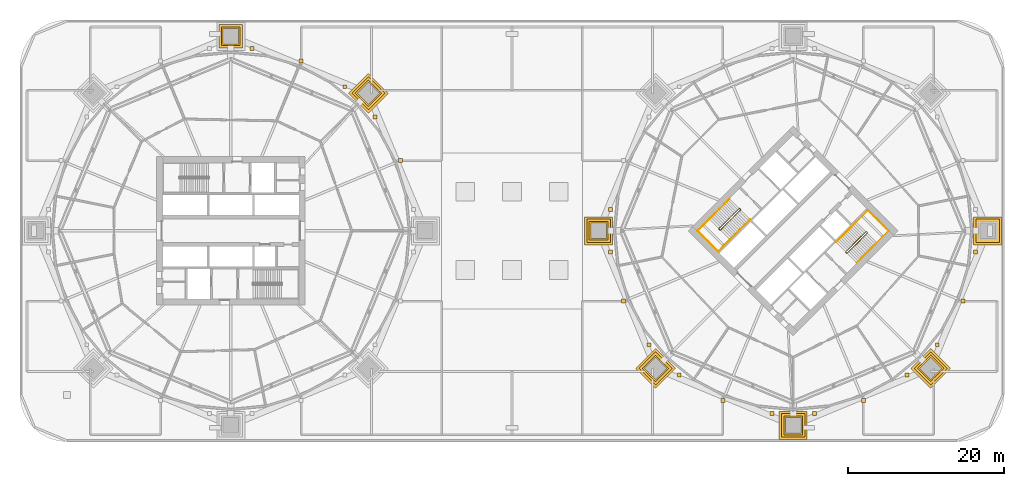
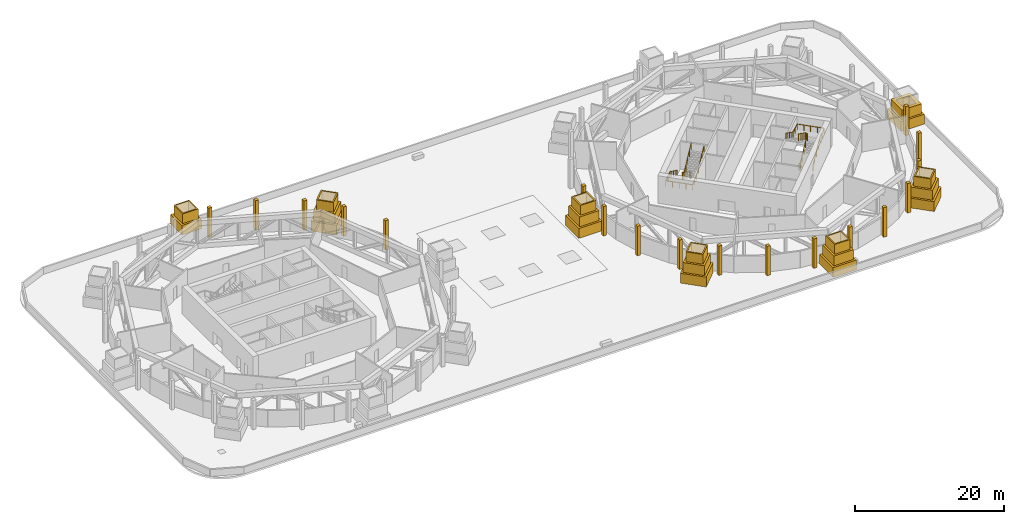
# One storey, part 19 of 21: 37 coverings, 4 railings.
"""IFC4 building model written with IfcOpenShell, lengths in metres."""

from ifc_helpers import new_model, si_unit, direction, frame, origin, origin_2d, place, context, subcontext, project, spatial, polyline, rectangle, circle, outline, extrude, material, layer, layer_set, material_profile, profile_set, type_object, element, save


model = new_model("IFC4")

# Units and contexts
model_context = context("Model", 3, precision=1e-05, world=origin(), true_north=direction((0.0, 1.0)))
body_context = subcontext(model_context, "Body", "Model", "MODEL_VIEW")
ifc_project = project(units=[si_unit("LENGTHUNIT", "METRE"), si_unit("AREAUNIT", "SQUARE_METRE"), si_unit("VOLUMEUNIT", "CUBIC_METRE"), si_unit("PLANEANGLEUNIT", "RADIAN"), si_unit("MASSUNIT", "GRAM", prefix="KILO")], contexts=[model_context])

# Site, building, storey
site_placement = place(None, origin())
site = spatial("IfcSite", under=ifc_project, at=site_placement, CompositionType="ELEMENT")
building_placement = place(site_placement, origin())
building = spatial("IfcBuilding", under=site, at=building_placement, Name="Ogive Gate Towers", CompositionType="ELEMENT")
storey_placement = place(building_placement, frame((0.0, 0.0, 27.60009765625)))
storey = spatial("IfcBuildingStorey", under=building, at=storey_placement, Name="L05", CompositionType="ELEMENT", Elevation=27.60009765625)

# Coverings
ifc_material_1 = material(Name="Cast stone", Category="masonry")
ifc_layer_1 = layer(ifc_material_1, 0.199951171875)
ifc_layer_set_1 = layer_set([ifc_layer_1], Name="Plinth casing 2400")
covering_type_1 = type_object("IfcCoveringType", Name="Plinth casing 2400", PredefinedType="CLADDING", material=ifc_layer_set_1)
covering_1_placement = place(storey_placement, frame((0.0, 0.0, 3.199951171875)))
element("IfcCovering", 1, at=covering_1_placement, inside=storey, type_object=covering_type_1, Name="Pier plinth casing", PredefinedType="CLADDING", context=body_context, shape_type="SweptSolid", body=[
    extrude(outline(polyline([(-18.385986328125, 15.9169921875), (-16.68896484375, 17.614013671875), (-18.385986328125, 19.31103515625), (-20.0830078125, 17.614013671875), (-18.385986328125, 15.9169921875)]), holes=[polyline([(-18.385986328125, 16.19970703125), (-19.80029296875, 17.614013671875), (-18.385986328125, 19.0283203125), (-16.9716796875, 17.614013671875), (-18.385986328125, 16.19970703125)])]), origin(), (0.0, 0.0, 1.0), 1.599853515625),
])
covering_2_placement = place(storey_placement, frame((0.0, 0.0, 3.199951171875)))
element("IfcCovering", 2, at=covering_2_placement, inside=storey, type_object=covering_type_1, Name="Pier plinth casing", PredefinedType="CLADDING", context=body_context, shape_type="SweptSolid", body=[
    extrude(outline(polyline([(-34.800048828125, 23.7099609375), (-34.800048828125, 26.110107421875), (-37.199951171875, 26.110107421875), (-37.199951171875, 23.7099609375), (-34.800048828125, 23.7099609375)]), holes=[polyline([(-35.0, 23.909912109375), (-37.0, 23.909912109375), (-37.0, 25.909912109375), (-35.0, 25.909912109375), (-35.0, 23.909912109375)])]), origin(), (0.0, 0.0, 1.0), 1.599853515625),
])
covering_3_placement = place(storey_placement, frame((0.0, 0.0, 3.199951171875)))
element("IfcCovering", 3, at=covering_3_placement, inside=storey, type_object=covering_type_1, Name="Pier plinth casing", PredefinedType="CLADDING", context=body_context, shape_type="SweptSolid", body=[
    extrude(outline(polyline([(12.2900390625, 1.199951171875), (9.889892578125, 1.199951171875), (9.889892578125, -1.199951171875), (12.2900390625, -1.199951171875), (12.2900390625, 1.199951171875)]), holes=[polyline([(12.090087890625, 1.0), (12.090087890625, -1.0), (10.090087890625, -1.0), (10.090087890625, 1.0), (12.090087890625, 1.0)])]), origin(), (0.0, 0.0, 1.0), 1.599853515625),
])
covering_4_placement = place(storey_placement, frame((0.0, 0.0, 3.199951171875)))
element("IfcCovering", 4, at=covering_4_placement, inside=storey, type_object=covering_type_1, Name="Pier plinth casing", PredefinedType="CLADDING", context=body_context, shape_type="SweptSolid", body=[
    extrude(outline(polyline([(18.385986328125, -15.9169921875), (16.68896484375, -17.614013671875), (18.385986328125, -19.31103515625), (20.0830078125, -17.614013671875), (18.385986328125, -15.9169921875)]), holes=[polyline([(18.385986328125, -16.19970703125), (19.80029296875, -17.614013671875), (18.385986328125, -19.0283203125), (16.9716796875, -17.614013671875), (18.385986328125, -16.19970703125)])]), origin(), (0.0, 0.0, 1.0), 1.599853515625),
])
covering_5_placement = place(storey_placement, frame((0.0, 0.0, 3.199951171875)))
element("IfcCovering", 5, at=covering_5_placement, inside=storey, type_object=covering_type_1, Name="Pier plinth casing", PredefinedType="CLADDING", context=body_context, shape_type="SweptSolid", body=[
    extrude(outline(polyline([(34.800048828125, -23.7099609375), (34.800048828125, -26.110107421875), (37.199951171875, -26.110107421875), (37.199951171875, -23.7099609375), (34.800048828125, -23.7099609375)]), holes=[polyline([(35.0, -23.909912109375), (37.0, -23.909912109375), (37.0, -25.909912109375), (35.0, -25.909912109375), (35.0, -23.909912109375)])]), origin(), (0.0, 0.0, 1.0), 1.599853515625),
])
covering_6_placement = place(storey_placement, frame((0.0, 0.0, 3.199951171875)))
element("IfcCovering", 6, at=covering_6_placement, inside=storey, type_object=covering_type_1, Name="Pier plinth casing", PredefinedType="CLADDING", context=body_context, shape_type="SweptSolid", body=[
    extrude(outline(polyline([(51.9169921875, -17.614013671875), (53.614013671875, -19.31103515625), (55.31103515625, -17.614013671875), (53.614013671875, -15.9169921875), (51.9169921875, -17.614013671875)]), holes=[polyline([(52.19970703125, -17.614013671875), (53.614013671875, -16.19970703125), (55.0283203125, -17.614013671875), (53.614013671875, -19.0283203125), (52.19970703125, -17.614013671875)])]), origin(), (0.0, 0.0, 1.0), 1.599853515625),
])
ifc_layer_2 = layer(ifc_material_1, 0.5)
ifc_layer_set_2 = layer_set([ifc_layer_2], Name="Plinth casing 3000")
covering_type_2 = type_object("IfcCoveringType", Name="Plinth casing 3000", PredefinedType="CLADDING", material=ifc_layer_set_2)
covering_7_placement = place(storey_placement, frame((0.0, 0.0, 1.599853515625)))
element("IfcCovering", 7, at=covering_7_placement, inside=storey, type_object=covering_type_2, Name="Pier plinth casing", PredefinedType="CLADDING", context=body_context, shape_type="SweptSolid", body=[
    extrude(outline(polyline([(-18.385986328125, 15.49267578125), (-16.2646484375, 17.614013671875), (-18.385986328125, 19.7353515625), (-20.50732421875, 17.614013671875), (-18.385986328125, 15.49267578125)]), holes=[polyline([(-18.385986328125, 16.19970703125), (-19.80029296875, 17.614013671875), (-18.385986328125, 19.0283203125), (-16.9716796875, 17.614013671875), (-18.385986328125, 16.19970703125)])]), origin(), (0.0, 0.0, 1.0), 1.60009765625),
])
covering_8_placement = place(storey_placement, frame((0.0, 0.0, 1.599853515625)))
element("IfcCovering", 8, at=covering_8_placement, inside=storey, type_object=covering_type_2, Name="Pier plinth casing", PredefinedType="CLADDING", context=body_context, shape_type="SweptSolid", body=[
    extrude(outline(polyline([(-34.5, 23.409912109375), (-34.5, 26.409912109375), (-37.5, 26.409912109375), (-37.5, 23.409912109375), (-34.5, 23.409912109375)]), holes=[polyline([(-35.0, 23.909912109375), (-37.0, 23.909912109375), (-37.0, 25.909912109375), (-35.0, 25.909912109375), (-35.0, 23.909912109375)])]), origin(), (0.0, 0.0, 1.0), 1.60009765625),
])
covering_9_placement = place(storey_placement, frame((0.0, 0.0, 1.599853515625)))
element("IfcCovering", 9, at=covering_9_placement, inside=storey, type_object=covering_type_2, Name="Pier plinth casing", PredefinedType="CLADDING", context=body_context, shape_type="SweptSolid", body=[
    extrude(outline(polyline([(59.409912109375, -1.5), (62.409912109375, -1.5), (62.409912109375, 1.5), (59.409912109375, 1.5), (59.409912109375, -1.5)]), holes=[polyline([(59.909912109375, -1.0), (59.909912109375, 1.0), (61.909912109375, 1.0), (61.909912109375, -1.0), (59.909912109375, -1.0)])]), origin(), (0.0, 0.0, 1.0), 1.60009765625),
])
covering_10_placement = place(storey_placement, frame((0.0, 0.0, 1.599853515625)))
element("IfcCovering", 10, at=covering_10_placement, inside=storey, type_object=covering_type_2, Name="Pier plinth casing", PredefinedType="CLADDING", context=body_context, shape_type="SweptSolid", body=[
    extrude(outline(polyline([(12.590087890625, 1.5), (9.590087890625, 1.5), (9.590087890625, -1.5), (12.590087890625, -1.5), (12.590087890625, 1.5)]), holes=[polyline([(12.090087890625, 1.0), (12.090087890625, -1.0), (10.090087890625, -1.0), (10.090087890625, 1.0), (12.090087890625, 1.0)])]), origin(), (0.0, 0.0, 1.0), 1.60009765625),
])
covering_11_placement = place(storey_placement, frame((0.0, 0.0, 1.599853515625)))
element("IfcCovering", 11, at=covering_11_placement, inside=storey, type_object=covering_type_2, Name="Pier plinth casing", PredefinedType="CLADDING", context=body_context, shape_type="SweptSolid", body=[
    extrude(outline(polyline([(18.385986328125, -15.49267578125), (16.2646484375, -17.614013671875), (18.385986328125, -19.7353515625), (20.50732421875, -17.614013671875), (18.385986328125, -15.49267578125)]), holes=[polyline([(18.385986328125, -16.19970703125), (19.80029296875, -17.614013671875), (18.385986328125, -19.0283203125), (16.9716796875, -17.614013671875), (18.385986328125, -16.19970703125)])]), origin(), (0.0, 0.0, 1.0), 1.60009765625),
])
covering_12_placement = place(storey_placement, frame((0.0, 0.0, 1.599853515625)))
element("IfcCovering", 12, at=covering_12_placement, inside=storey, type_object=covering_type_2, Name="Pier plinth casing", PredefinedType="CLADDING", context=body_context, shape_type="SweptSolid", body=[
    extrude(outline(polyline([(34.5, -23.409912109375), (34.5, -26.409912109375), (37.5, -26.409912109375), (37.5, -23.409912109375), (34.5, -23.409912109375)]), holes=[polyline([(35.0, -23.909912109375), (37.0, -23.909912109375), (37.0, -25.909912109375), (35.0, -25.909912109375), (35.0, -23.909912109375)])]), origin(), (0.0, 0.0, 1.0), 1.60009765625),
])
covering_13_placement = place(storey_placement, frame((0.0, 0.0, 1.599853515625)))
element("IfcCovering", 13, at=covering_13_placement, inside=storey, type_object=covering_type_2, Name="Pier plinth casing", PredefinedType="CLADDING", context=body_context, shape_type="SweptSolid", body=[
    extrude(outline(polyline([(51.49267578125, -17.614013671875), (53.614013671875, -19.7353515625), (55.7353515625, -17.614013671875), (53.614013671875, -15.49267578125), (51.49267578125, -17.614013671875)]), holes=[polyline([(52.19970703125, -17.614013671875), (53.614013671875, -16.19970703125), (55.0283203125, -17.614013671875), (53.614013671875, -19.0283203125), (52.19970703125, -17.614013671875)])]), origin(), (0.0, 0.0, 1.0), 1.60009765625),
])
ifc_layer_3 = layer(ifc_material_1, 0.800048828125)
ifc_layer_set_3 = layer_set([ifc_layer_3], Name="Plinth casing 3600")
covering_type_3 = type_object("IfcCoveringType", Name="Plinth casing 3600", PredefinedType="CLADDING", material=ifc_layer_set_3)
covering_14_placement = place(storey_placement, origin())
element("IfcCovering", 14, at=covering_14_placement, inside=storey, type_object=covering_type_3, Name="Pier plinth casing", PredefinedType="CLADDING", context=body_context, shape_type="SweptSolid", body=[
    extrude(outline(polyline([(-18.385986328125, 15.068359375), (-15.84033203125, 17.614013671875), (-18.385986328125, 20.15966796875), (-20.931640625, 17.614013671875), (-18.385986328125, 15.068359375)]), holes=[polyline([(-18.385986328125, 16.19970703125), (-19.80029296875, 17.614013671875), (-18.385986328125, 19.0283203125), (-16.9716796875, 17.614013671875), (-18.385986328125, 16.19970703125)])]), origin(), (0.0, 0.0, 1.0), 1.599853515625),
])
covering_15_placement = place(storey_placement, origin())
element("IfcCovering", 15, at=covering_15_placement, inside=storey, type_object=covering_type_3, Name="Pier plinth casing", PredefinedType="CLADDING", context=body_context, shape_type="SweptSolid", body=[
    extrude(outline(polyline([(59.110107421875, -1.800048828125), (62.7099609375, -1.800048828125), (62.7099609375, 1.800048828125), (59.110107421875, 1.800048828125), (59.110107421875, -1.800048828125)]), holes=[polyline([(59.909912109375, -1.0), (59.909912109375, 1.0), (61.909912109375, 1.0), (61.909912109375, -1.0), (59.909912109375, -1.0)])]), origin(), (0.0, 0.0, 1.0), 1.599853515625),
])
covering_16_placement = place(storey_placement, origin())
element("IfcCovering", 16, at=covering_16_placement, inside=storey, type_object=covering_type_3, Name="Pier plinth casing", PredefinedType="CLADDING", context=body_context, shape_type="SweptSolid", body=[
    extrude(outline(polyline([(12.889892578125, 1.800048828125), (9.2900390625, 1.800048828125), (9.2900390625, -1.800048828125), (12.889892578125, -1.800048828125), (12.889892578125, 1.800048828125)]), holes=[polyline([(12.090087890625, 1.0), (12.090087890625, -1.0), (10.090087890625, -1.0), (10.090087890625, 1.0), (12.090087890625, 1.0)])]), origin(), (0.0, 0.0, 1.0), 1.599853515625),
])
covering_17_placement = place(storey_placement, origin())
element("IfcCovering", 17, at=covering_17_placement, inside=storey, type_object=covering_type_3, Name="Pier plinth casing", PredefinedType="CLADDING", context=body_context, shape_type="SweptSolid", body=[
    extrude(outline(polyline([(18.385986328125, -15.068359375), (15.84033203125, -17.614013671875), (18.385986328125, -20.15966796875), (20.931640625, -17.614013671875), (18.385986328125, -15.068359375)]), holes=[polyline([(18.385986328125, -16.19970703125), (19.80029296875, -17.614013671875), (18.385986328125, -19.0283203125), (16.9716796875, -17.614013671875), (18.385986328125, -16.19970703125)])]), origin(), (0.0, 0.0, 1.0), 1.599853515625),
])
covering_18_placement = place(storey_placement, origin())
element("IfcCovering", 18, at=covering_18_placement, inside=storey, type_object=covering_type_3, Name="Pier plinth casing", PredefinedType="CLADDING", context=body_context, shape_type="SweptSolid", body=[
    extrude(outline(polyline([(34.199951171875, -23.110107421875), (34.199951171875, -26.7099609375), (37.800048828125, -26.7099609375), (37.800048828125, -23.110107421875), (34.199951171875, -23.110107421875)]), holes=[polyline([(35.0, -23.909912109375), (37.0, -23.909912109375), (37.0, -25.909912109375), (35.0, -25.909912109375), (35.0, -23.909912109375)])]), origin(), (0.0, 0.0, 1.0), 1.599853515625),
])
covering_19_placement = place(storey_placement, origin())
element("IfcCovering", 19, at=covering_19_placement, inside=storey, type_object=covering_type_3, Name="Pier plinth casing", PredefinedType="CLADDING", context=body_context, shape_type="SweptSolid", body=[
    extrude(outline(polyline([(51.068359375, -17.614013671875), (53.614013671875, -20.15966796875), (56.15966796875, -17.614013671875), (53.614013671875, -15.068359375), (51.068359375, -17.614013671875)]), holes=[polyline([(52.19970703125, -17.614013671875), (53.614013671875, -16.19970703125), (55.0283203125, -17.614013671875), (53.614013671875, -19.0283203125), (52.19970703125, -17.614013671875)])]), origin(), (0.0, 0.0, 1.0), 1.599853515625),
])
ifc_material_profile = material_profile(ifc_material_1, rectangle(XDim=0.5, YDim=0.5, at=origin_2d()), Name="500 x 500 cast stone")
ifc_profile_set = profile_set([ifc_material_profile], Name="Cast stone")
covering_type_4 = type_object("IfcCoveringType", Name="Portal rib 500 x 500", PredefinedType="CLADDING", material=ifc_profile_set)
for number, where, z_axis, x_axis, name in (
    (20, (-17.5498046875, 14.588623046875, 0.0), (0.0, 0.0, 1.0), (1.0, 0.0, 0.0), "Portal post"),
    (21, (-14.269287109375, 9.001220703125, 0.0), (0.0, 0.0, 1.0), (1.0, 0.0, 0.0), "Portal mullion"),
    (22, (-33.26953125, 23.362060546875, 0.0), (0.0, 0.0, 1.0), (1.0, 0.0, 0.0), "Portal post"),
    (23, (-21.411376953125, 18.4501953125, 0.0), (0.0, 0.0, 1.0), (1.0, 0.0, 0.0), "Portal post"),
    (24, (-26.998779296875, 21.730712890625, 0.0), (0.0, 0.0, 1.0), (1.0, 0.0, 0.0), "Portal mullion"),
    (25, (12.637939453125, 2.73046875, 0.0), (0.0, 0.0, 1.0), (1.0, 0.0, 0.0), "Portal post"),
    (26, (17.5498046875, -14.588623046875, 0.0), (0.0, 0.0, 1.0), (1.0, 0.0, 0.0), "Portal post"),
    (27, (12.637939453125, -2.73046875, 0.0), (0.0, 0.0, 1.0), (1.0, 0.0, 0.0), "Portal post"),
    (28, (14.269287109375, -9.001220703125, 0.0), (0.0, 0.0, 1.0), (1.0, 0.0, 0.0), "Portal mullion"),
    (29, (33.26953125, -23.362060546875, 0.0), (0.0, 0.0, 1.0), (1.0, 0.0, 0.0), "Portal post"),
    (30, (21.411376953125, -18.4501953125, 0.0), (0.0, 0.0, 1.0), (1.0, 0.0, 0.0), "Portal post"),
    (31, (26.998779296875, -21.730712890625, 0.0), (0.0, 0.0, 1.0), (1.0, 0.0, 0.0), "Portal mullion"),
    (32, (50.588623046875, -18.4501953125, 0.0), (0.0, 0.0, 1.0), (1.0, 0.0, 0.0), "Portal post"),
    (33, (38.73046875, -23.362060546875, 0.0), (0.0, 0.0, 1.0), (1.0, 0.0, 0.0), "Portal post"),
    (34, (45.001220703125, -21.730712890625, 0.0), (0.0, 0.0, 1.0), (1.0, 0.0, 0.0), "Portal mullion"),
    (35, (59.362060546875, -2.73046875, 0.0), (0.0, 0.0, 1.0), (1.0, 0.0, 0.0), "Portal post"),
    (36, (54.4501953125, -14.588623046875, 0.0), (0.0, 0.0, 1.0), (1.0, 0.0, 0.0), "Portal post"),
    (37, (57.730712890625, -9.001220703125, 0.0), (0.0, 0.0, 1.0), (1.0, 0.0, 0.0), "Portal mullion"),
):
    element("IfcCovering", number, at=place(storey_placement, frame(where, z_axis=z_axis, x_axis=x_axis)), inside=storey, type_object=covering_type_4, Name=name, PredefinedType="CLADDING", context=body_context, shape_type="SweptSolid", body=[
        extrude(rectangle(XDim=0.5, YDim=0.5, at=origin_2d()), origin(), (0.0, 0.0, 1.0), 4.7998046875),
    ])

# Railings
ifc_material_2 = material(Name="Stainless steel", Category="steel")
railing_type_1 = type_object("IfcRailingType", Name="Stair guard 1100", PredefinedType="GUARDRAIL", material=ifc_material_2)
railing_1_placement = place(storey_placement, frame((29.15869140625, 2.8603515625, 0.0)))
element("IfcRailing", 38, at=railing_1_placement, inside=storey, type_object=railing_type_1, Name="L05 ST1 stair guard 1", PredefinedType="GUARDRAIL", context=body_context, shape_type="SweptSolid", body=[
    extrude(circle(Radius=0.02392578125, at=origin_2d()), frame((0.0, 0.0, 1.076171875), z_axis=(0.707106781187, -0.707106781187, 0.0), x_axis=(0.707106781187, 0.707106781187, 0.0)), (0.0, 0.0, 1.0), 0.14501953125),
    extrude(circle(Radius=0.02392578125, at=origin_2d()), frame((0.1025390625, -0.1025390625, 1.076171875), z_axis=(-0.65494335095, 0.387977725527, 0.648477055524), x_axis=(-0.509669330572, -0.860370369942, 0.0)), (0.0, 0.0, 1.0), 0.264404296875),
    extrude(circle(Radius=0.02392578125, at=origin_2d()), frame((-0.070556640625, 0.0, 1.24755859375), z_axis=(-0.603067823642, -0.603067823642, 0.522128719929), x_axis=(0.707106781187, -0.707106781187, 0.0)), (0.0, 0.0, 1.0), 4.26806640625),
    extrude(circle(Radius=0.02392578125, at=origin_2d()), frame((-2.64453125, -2.573974609375, 3.47607421875), z_axis=(0.0, -1.0, 0.0), x_axis=(1.0, 0.0, 0.0)), (0.0, 0.0, 1.0), 0.07080078125),
    extrude(circle(Radius=0.02392578125, at=origin_2d()), frame((-2.64453125, -2.644775390625, 3.47607421875), z_axis=(0.707106781187, -0.707106781187, 0.0), x_axis=(0.707106781187, 0.707106781187, 0.0)), (0.0, 0.0, 1.0), 0.14501953125),
    extrude(circle(Radius=0.02392578125, at=origin_2d()), frame((-2.5419921875, -2.747314453125, 3.47607421875), z_axis=(0.381809054019, 0.0, 0.924241227315), x_axis=(0.0, 1.0, 0.0)), (0.0, 0.0, 1.0), 0.185546875),
    extrude(circle(Radius=0.02392578125, at=origin_2d()), frame((-2.47119140625, -2.747314453125, 3.6474609375), z_axis=(0.603031424376, 0.60308862713, 0.522146731333), x_axis=(-0.707140316402, 0.707073244381, 0.0)), (0.0, 0.0, 1.0), 4.26806640625),
    extrude(circle(Radius=0.02099609375, at=origin_2d()), origin(), (0.0, 0.0, 1.0), 1.052001953125),
    extrude(circle(Radius=0.02099609375, at=origin_2d()), frame((0.1025390625, -0.1025390625, 0.0)), (0.0, 0.0, 1.0), 1.052001953125),
    extrude(circle(Radius=0.02099609375, at=origin_2d()), frame((-0.070556640625, 0.0, 0.17138671875)), (0.0, 0.0, 1.0), 1.052001953125),
    extrude(circle(Radius=0.02099609375, at=origin_2d()), frame((-0.714111328125, -0.6435546875, 0.728515625)), (0.0, 0.0, 1.0), 1.052001953125),
    extrude(circle(Radius=0.02099609375, at=origin_2d()), frame((-1.357421875, -1.287109375, 1.28564453125)), (0.0, 0.0, 1.0), 1.052001953125),
    extrude(circle(Radius=0.02099609375, at=origin_2d()), frame((-2.0009765625, -1.930419921875, 1.8427734375)), (0.0, 0.0, 1.0), 1.052001953125),
    extrude(circle(Radius=0.02099609375, at=origin_2d()), frame((-2.64453125, -2.573974609375, 2.39990234375)), (0.0, 0.0, 1.0), 1.052001953125),
    extrude(circle(Radius=0.02099609375, at=origin_2d()), frame((-2.64453125, -2.644775390625, 2.39990234375)), (0.0, 0.0, 1.0), 1.052001953125),
    extrude(circle(Radius=0.02099609375, at=origin_2d()), frame((-2.5419921875, -2.747314453125, 2.39990234375)), (0.0, 0.0, 1.0), 1.052001953125),
    extrude(circle(Radius=0.02099609375, at=origin_2d()), frame((-2.47119140625, -2.747314453125, 2.5712890625)), (0.0, 0.0, 1.0), 1.052001953125),
    extrude(circle(Radius=0.02099609375, at=origin_2d()), frame((-1.82763671875, -2.103759765625, 3.12841796875)), (0.0, 0.0, 1.0), 1.052001953125),
    extrude(circle(Radius=0.02099609375, at=origin_2d()), frame((-1.184326171875, -1.46044921875, 3.685546875)), (0.0, 0.0, 1.0), 1.052001953125),
    extrude(circle(Radius=0.02099609375, at=origin_2d()), frame((-0.541015625, -0.81689453125, 4.24267578125)), (0.0, 0.0, 1.0), 1.052001953125),
    extrude(circle(Radius=0.02099609375, at=origin_2d()), frame((0.1025390625, -0.17333984375, 4.7998046875)), (0.0, 0.0, 1.0), 1.052001953125),
])
railing_2_placement = place(storey_placement, frame((42.84130859375, -2.8603515625, 0.0)))
element("IfcRailing", 39, at=railing_2_placement, inside=storey, type_object=railing_type_1, Name="L05 ST2 stair guard 1", PredefinedType="GUARDRAIL", context=body_context, shape_type="SweptSolid", body=[
    extrude(circle(Radius=0.02392578125, at=origin_2d()), frame((0.0, 0.0, 1.076171875), z_axis=(-0.707106781187, 0.707106781187, 0.0), x_axis=(-0.707106781187, -0.707106781187, 0.0)), (0.0, 0.0, 1.0), 0.14501953125),
    extrude(circle(Radius=0.02392578125, at=origin_2d()), frame((-0.1025390625, 0.1025390625, 1.076171875), z_axis=(0.65494335095, -0.387977725527, 0.648477055524), x_axis=(0.509669330572, 0.860370369942, 0.0)), (0.0, 0.0, 1.0), 0.264404296875),
    extrude(circle(Radius=0.02392578125, at=origin_2d()), frame((0.070556640625, 0.0, 1.24755859375), z_axis=(0.603067823642, 0.603067823642, 0.522128719929), x_axis=(-0.707106781187, 0.707106781187, 0.0)), (0.0, 0.0, 1.0), 4.26806640625),
    extrude(circle(Radius=0.02392578125, at=origin_2d()), frame((2.64453125, 2.573974609375, 3.47607421875), z_axis=(0.0, 1.0, 0.0), x_axis=(-1.0, 0.0, 0.0)), (0.0, 0.0, 1.0), 0.07080078125),
    extrude(circle(Radius=0.02392578125, at=origin_2d()), frame((2.64453125, 2.644775390625, 3.47607421875), z_axis=(-0.707106781187, 0.707106781187, 0.0), x_axis=(-0.707106781187, -0.707106781187, 0.0)), (0.0, 0.0, 1.0), 0.14501953125),
    extrude(circle(Radius=0.02392578125, at=origin_2d()), frame((2.5419921875, 2.747314453125, 3.47607421875), z_axis=(-0.381809054019, 0.0, 0.924241227315), x_axis=(0.0, -1.0, 0.0)), (0.0, 0.0, 1.0), 0.185546875),
    extrude(circle(Radius=0.02392578125, at=origin_2d()), frame((2.47119140625, 2.747314453125, 3.6474609375), z_axis=(-0.603031424376, -0.60308862713, 0.522146731333), x_axis=(0.707140316402, -0.707073244381, 0.0)), (0.0, 0.0, 1.0), 4.26806640625),
    extrude(circle(Radius=0.02099609375, at=origin_2d()), origin(), (0.0, 0.0, 1.0), 1.052001953125),
    extrude(circle(Radius=0.02099609375, at=origin_2d()), frame((-0.1025390625, 0.1025390625, 0.0)), (0.0, 0.0, 1.0), 1.052001953125),
    extrude(circle(Radius=0.02099609375, at=origin_2d()), frame((0.070556640625, 0.0, 0.17138671875)), (0.0, 0.0, 1.0), 1.052001953125),
    extrude(circle(Radius=0.02099609375, at=origin_2d()), frame((0.714111328125, 0.6435546875, 0.728515625)), (0.0, 0.0, 1.0), 1.052001953125),
    extrude(circle(Radius=0.02099609375, at=origin_2d()), frame((1.357421875, 1.287109375, 1.28564453125)), (0.0, 0.0, 1.0), 1.052001953125),
    extrude(circle(Radius=0.02099609375, at=origin_2d()), frame((2.0009765625, 1.930419921875, 1.8427734375)), (0.0, 0.0, 1.0), 1.052001953125),
    extrude(circle(Radius=0.02099609375, at=origin_2d()), frame((2.64453125, 2.573974609375, 2.39990234375)), (0.0, 0.0, 1.0), 1.052001953125),
    extrude(circle(Radius=0.02099609375, at=origin_2d()), frame((2.64453125, 2.644775390625, 2.39990234375)), (0.0, 0.0, 1.0), 1.052001953125),
    extrude(circle(Radius=0.02099609375, at=origin_2d()), frame((2.5419921875, 2.747314453125, 2.39990234375)), (0.0, 0.0, 1.0), 1.052001953125),
    extrude(circle(Radius=0.02099609375, at=origin_2d()), frame((2.47119140625, 2.747314453125, 2.5712890625)), (0.0, 0.0, 1.0), 1.052001953125),
    extrude(circle(Radius=0.02099609375, at=origin_2d()), frame((1.82763671875, 2.103759765625, 3.12841796875)), (0.0, 0.0, 1.0), 1.052001953125),
    extrude(circle(Radius=0.02099609375, at=origin_2d()), frame((1.184326171875, 1.46044921875, 3.685546875)), (0.0, 0.0, 1.0), 1.052001953125),
    extrude(circle(Radius=0.02099609375, at=origin_2d()), frame((0.541015625, 0.81689453125, 4.24267578125)), (0.0, 0.0, 1.0), 1.052001953125),
    extrude(circle(Radius=0.02099609375, at=origin_2d()), frame((-0.1025390625, 0.17333984375, 4.7998046875)), (0.0, 0.0, 1.0), 1.052001953125),
])
railing_type_2 = type_object("IfcRailingType", Name="Stair handrail 900", PredefinedType="HANDRAIL", material=ifc_material_2)
railing_3_placement = place(storey_placement, frame((27.857666015625, 4.090576171875, 0.17138671875)))
element("IfcRailing", 40, at=railing_3_placement, inside=storey, type_object=railing_type_2, Name="L05 ST1 stair handrail 1", PredefinedType="HANDRAIL", context=body_context, shape_type="SweptSolid", body=[
    extrude(circle(Radius=0.02392578125, at=origin_2d()), frame((0.0, 0.0, 0.8759765625), z_axis=(-0.60308862713, -0.603031424376, 0.522146731333), x_axis=(0.707073244381, -0.707140316402, 0.0)), (0.0, 0.0, 1.0), 4.26806640625),
    extrude(circle(Radius=0.02392578125, at=origin_2d()), frame((-2.573974609375, -2.57373046875, 3.1044921875), z_axis=(-0.707049868894, -0.707163688899, 0.0), x_axis=(0.707163688899, -0.707049868894, 0.0)), (0.0, 0.0, 1.0), 2.14501953125),
    extrude(circle(Radius=0.02392578125, at=origin_2d()), frame((-4.090576171875, -4.090576171875, 3.1044921875), z_axis=(0.707106781187, -0.707106781187, 0.0), x_axis=(0.707106781187, 0.707106781187, 0.0)), (0.0, 0.0, 1.0), 3.72509765625),
    extrude(circle(Radius=0.02392578125, at=origin_2d()), frame((-1.45654296875, -6.724609375, 3.1044921875), z_axis=(0.704803619142, 0.704917077548, 0.079647801133), x_axis=(-0.707163688899, 0.707049868894, 0.0)), (0.0, 0.0, 1.0), 2.15185546875),
    extrude(circle(Radius=0.02392578125, at=origin_2d()), frame((0.06005859375, -5.207763671875, 3.27587890625), z_axis=(0.60308862713, 0.603031424376, 0.522146731333), x_axis=(-0.707073244381, 0.707140316402, 0.0)), (0.0, 0.0, 1.0), 4.26806640625),
    extrude(circle(Radius=0.02099609375, at=origin_2d()), origin(), (0.0, 0.0, 1.0), 0.851806640625),
    extrude(circle(Radius=0.02099609375, at=origin_2d()), frame((-0.6435546875, -0.6435546875, 0.55712890625)), (0.0, 0.0, 1.0), 0.851806640625),
    extrude(circle(Radius=0.02099609375, at=origin_2d()), frame((-1.287109375, -1.286865234375, 1.1142578125)), (0.0, 0.0, 1.0), 0.851806640625),
    extrude(circle(Radius=0.02099609375, at=origin_2d()), frame((-1.930419921875, -1.93017578125, 1.67138671875)), (0.0, 0.0, 1.0), 0.851806640625),
    extrude(circle(Radius=0.02099609375, at=origin_2d()), frame((-2.573974609375, -2.57373046875, 2.228515625)), (0.0, 0.0, 1.0), 0.851806640625),
    extrude(circle(Radius=0.02099609375, at=origin_2d()), frame((-3.332275390625, -3.33203125, 2.228515625)), (0.0, 0.0, 1.0), 0.851806640625),
    extrude(circle(Radius=0.02099609375, at=origin_2d()), frame((-4.090576171875, -4.090576171875, 2.228515625)), (0.0, 0.0, 1.0), 0.851806640625),
    extrude(circle(Radius=0.02099609375, at=origin_2d()), frame((-3.43212890625, -4.7490234375, 2.228515625)), (0.0, 0.0, 1.0), 0.851806640625),
    extrude(circle(Radius=0.02099609375, at=origin_2d()), frame((-2.7734375, -5.40771484375, 2.228515625)), (0.0, 0.0, 1.0), 0.851806640625),
    extrude(circle(Radius=0.02099609375, at=origin_2d()), frame((-2.114990234375, -6.066162109375, 2.228515625)), (0.0, 0.0, 1.0), 0.851806640625),
    extrude(circle(Radius=0.02099609375, at=origin_2d()), frame((-1.45654296875, -6.724609375, 2.228515625)), (0.0, 0.0, 1.0), 0.851806640625),
    extrude(circle(Radius=0.02099609375, at=origin_2d()), frame((-0.6982421875, -5.96630859375, 2.314208984375)), (0.0, 0.0, 1.0), 0.851806640625),
    extrude(circle(Radius=0.02099609375, at=origin_2d()), frame((0.06005859375, -5.207763671875, 2.39990234375)), (0.0, 0.0, 1.0), 0.851806640625),
    extrude(circle(Radius=0.02099609375, at=origin_2d()), frame((0.70361328125, -4.564453125, 2.95703125)), (0.0, 0.0, 1.0), 0.851806640625),
    extrude(circle(Radius=0.02099609375, at=origin_2d()), frame((1.34716796875, -3.9208984375, 3.51416015625)), (0.0, 0.0, 1.0), 0.851806640625),
    extrude(circle(Radius=0.02099609375, at=origin_2d()), frame((1.990478515625, -3.27734375, 4.0712890625)), (0.0, 0.0, 1.0), 0.851806640625),
    extrude(circle(Radius=0.02099609375, at=origin_2d()), frame((2.634033203125, -2.634033203125, 4.62841796875)), (0.0, 0.0, 1.0), 0.851806640625),
])
railing_4_placement = place(storey_placement, frame((44.142333984375, -4.090576171875, 0.17138671875)))
element("IfcRailing", 41, at=railing_4_placement, inside=storey, type_object=railing_type_2, Name="L05 ST2 stair handrail 1", PredefinedType="HANDRAIL", context=body_context, shape_type="SweptSolid", body=[
    extrude(circle(Radius=0.02392578125, at=origin_2d()), frame((0.0, 0.0, 0.8759765625), z_axis=(0.60308862713, 0.603031424376, 0.522146731333), x_axis=(-0.707073244381, 0.707140316402, 0.0)), (0.0, 0.0, 1.0), 4.26806640625),
    extrude(circle(Radius=0.02392578125, at=origin_2d()), frame((2.573974609375, 2.57373046875, 3.1044921875), z_axis=(0.707049868894, 0.707163688899, 0.0), x_axis=(-0.707163688899, 0.707049868894, 0.0)), (0.0, 0.0, 1.0), 2.14501953125),
    extrude(circle(Radius=0.02392578125, at=origin_2d()), frame((4.090576171875, 4.090576171875, 3.1044921875), z_axis=(-0.707106781187, 0.707106781187, 0.0), x_axis=(-0.707106781187, -0.707106781187, 0.0)), (0.0, 0.0, 1.0), 3.72509765625),
    extrude(circle(Radius=0.02392578125, at=origin_2d()), frame((1.45654296875, 6.724609375, 3.1044921875), z_axis=(-0.704803619142, -0.704917077548, 0.079647801133), x_axis=(0.707163688899, -0.707049868894, 0.0)), (0.0, 0.0, 1.0), 2.15185546875),
    extrude(circle(Radius=0.02392578125, at=origin_2d()), frame((-0.06005859375, 5.207763671875, 3.27587890625), z_axis=(-0.60308862713, -0.603031424376, 0.522146731333), x_axis=(0.707073244381, -0.707140316402, 0.0)), (0.0, 0.0, 1.0), 4.26806640625),
    extrude(circle(Radius=0.02099609375, at=origin_2d()), origin(), (0.0, 0.0, 1.0), 0.851806640625),
    extrude(circle(Radius=0.02099609375, at=origin_2d()), frame((0.6435546875, 0.6435546875, 0.55712890625)), (0.0, 0.0, 1.0), 0.851806640625),
    extrude(circle(Radius=0.02099609375, at=origin_2d()), frame((1.287109375, 1.286865234375, 1.1142578125)), (0.0, 0.0, 1.0), 0.851806640625),
    extrude(circle(Radius=0.02099609375, at=origin_2d()), frame((1.930419921875, 1.93017578125, 1.67138671875)), (0.0, 0.0, 1.0), 0.851806640625),
    extrude(circle(Radius=0.02099609375, at=origin_2d()), frame((2.573974609375, 2.57373046875, 2.228515625)), (0.0, 0.0, 1.0), 0.851806640625),
    extrude(circle(Radius=0.02099609375, at=origin_2d()), frame((3.332275390625, 3.33203125, 2.228515625)), (0.0, 0.0, 1.0), 0.851806640625),
    extrude(circle(Radius=0.02099609375, at=origin_2d()), frame((4.090576171875, 4.090576171875, 2.228515625)), (0.0, 0.0, 1.0), 0.851806640625),
    extrude(circle(Radius=0.02099609375, at=origin_2d()), frame((3.43212890625, 4.7490234375, 2.228515625)), (0.0, 0.0, 1.0), 0.851806640625),
    extrude(circle(Radius=0.02099609375, at=origin_2d()), frame((2.7734375, 5.40771484375, 2.228515625)), (0.0, 0.0, 1.0), 0.851806640625),
    extrude(circle(Radius=0.02099609375, at=origin_2d()), frame((2.114990234375, 6.066162109375, 2.228515625)), (0.0, 0.0, 1.0), 0.851806640625),
    extrude(circle(Radius=0.02099609375, at=origin_2d()), frame((1.45654296875, 6.724609375, 2.228515625)), (0.0, 0.0, 1.0), 0.851806640625),
    extrude(circle(Radius=0.02099609375, at=origin_2d()), frame((0.6982421875, 5.96630859375, 2.314208984375)), (0.0, 0.0, 1.0), 0.851806640625),
    extrude(circle(Radius=0.02099609375, at=origin_2d()), frame((-0.06005859375, 5.207763671875, 2.39990234375)), (0.0, 0.0, 1.0), 0.851806640625),
    extrude(circle(Radius=0.02099609375, at=origin_2d()), frame((-0.70361328125, 4.564453125, 2.95703125)), (0.0, 0.0, 1.0), 0.851806640625),
    extrude(circle(Radius=0.02099609375, at=origin_2d()), frame((-1.34716796875, 3.9208984375, 3.51416015625)), (0.0, 0.0, 1.0), 0.851806640625),
    extrude(circle(Radius=0.02099609375, at=origin_2d()), frame((-1.990478515625, 3.27734375, 4.0712890625)), (0.0, 0.0, 1.0), 0.851806640625),
    extrude(circle(Radius=0.02099609375, at=origin_2d()), frame((-2.634033203125, 2.634033203125, 4.62841796875)), (0.0, 0.0, 1.0), 0.851806640625),
])

save(model, "model.ifc")
